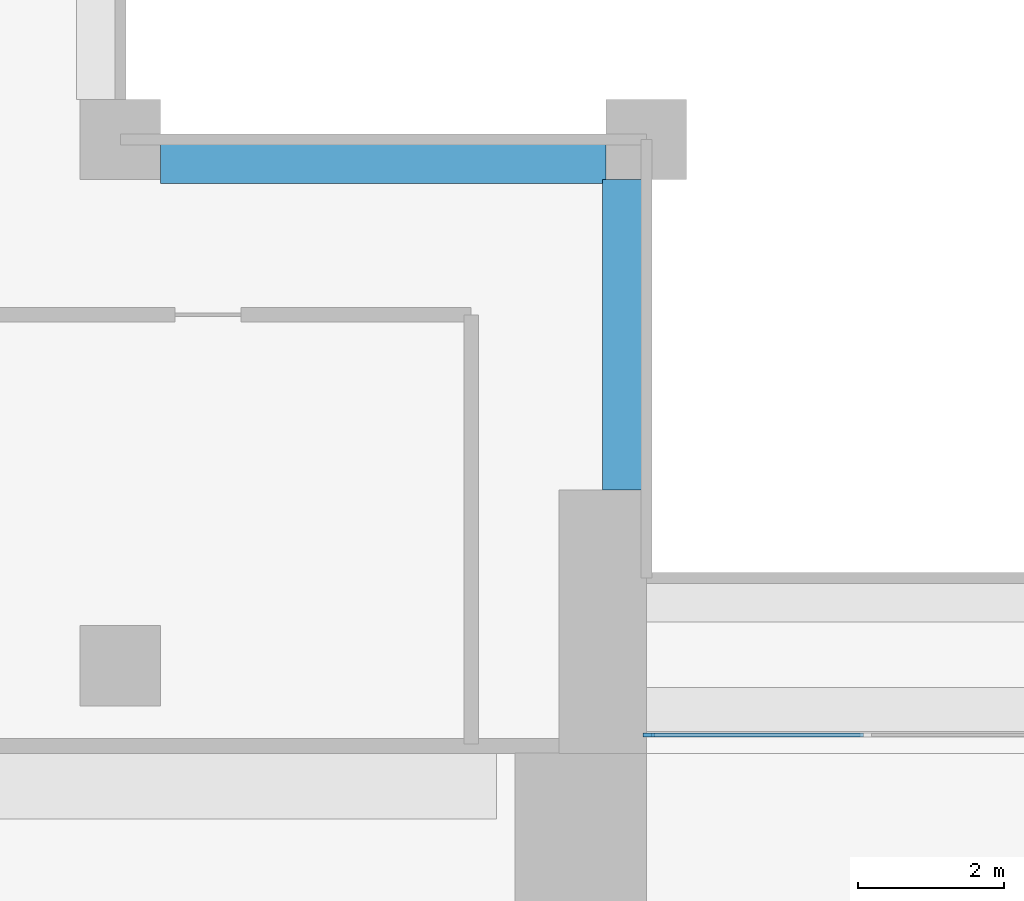
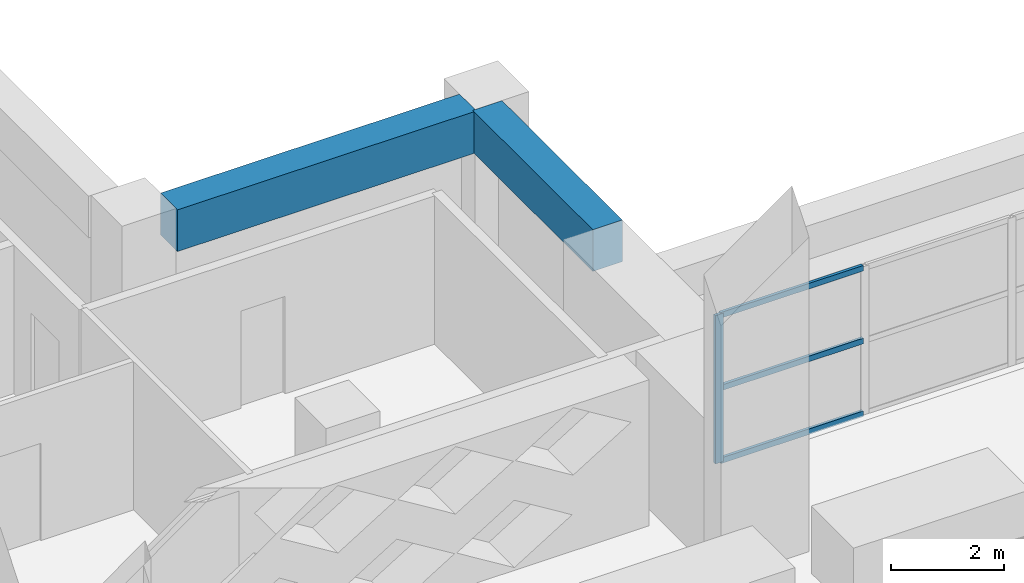
# One storey, part 2 of 17: 4 members, 2 beams, 1 element without a shape of its own.
"""IFC4 building model written with IfcOpenShell, lengths in metres."""

from ifc_helpers import new_model, si_unit, direction, frame, origin, origin_2d, place, context, subcontext, project, spatial, rectangle, extrude, source, transform, mapped, material, layer, layer_set, material_profile, profile_set, type_object, element, aggregate, save


model = new_model("IFC4")

# Units and contexts
model_context = context("Model", 3, precision=1e-05, world=origin(), true_north=direction((0.0, 1.0)))
body_context = subcontext(model_context, "Body", "Model", "MODEL_VIEW")
ifc_project = project(units=[si_unit("LENGTHUNIT", "METRE"), si_unit("AREAUNIT", "SQUARE_METRE"), si_unit("VOLUMEUNIT", "CUBIC_METRE"), si_unit("PLANEANGLEUNIT", "RADIAN"), si_unit("MASSUNIT", "GRAM", prefix="KILO")], contexts=[model_context])

# Site, building, storey
site_placement = place(None, origin())
site = spatial("IfcSite", under=ifc_project, at=site_placement, CompositionType="ELEMENT")
building_placement = place(site_placement, origin())
building = spatial("IfcBuilding", under=site, at=building_placement, Name="Saffron Iwan Residences", CompositionType="ELEMENT")
storey_placement = place(building_placement, frame((0.0, 0.0, 113.0)))
storey = spatial("IfcBuildingStorey", under=building, at=storey_placement, Name="L29", CompositionType="ELEMENT", Elevation=113.0)

# Beams
ifc_material_1 = material(Name="Concrete C50/60", Category="concrete")
ifc_material_profile_1 = material_profile(ifc_material_1, rectangle(XDim=0.60009765625, YDim=0.89990234375, at=origin_2d()), Name="RC 600x900")
ifc_profile_set_1 = profile_set([ifc_material_profile_1], Name="Concrete C50/60")
beam_type = type_object("IfcBeamType", Name="BEAM RC 600x900 C50/60 TOP 3200", PredefinedType="BEAM", material=ifc_profile_set_1)
shared_shape_1 = source(origin(), body_context, "Body", "SweptSolid", [
    extrude(rectangle(XDim=0.60009765625, YDim=0.89990234375, at=origin_2d()), origin(), (0.0, 0.0, 1.0), 4.25),
])
beam_1_placement = place(storey_placement, frame((42.89990234375, 43.199951171875, 2.75), z_axis=(0.0, 1.0, 0.0), x_axis=(-1.0, 0.0, 0.0)))
element("IfcBeam", 1, at=beam_1_placement, inside=storey, type_object=beam_type, Name="Atrium edge beam", PredefinedType="BEAM", context=body_context, shape_type="MappedRepresentation", body=[
    mapped(shared_shape_1, transform((0.0, 0.0, 0.0))),
])
shared_shape_2 = source(origin(), body_context, "Body", "SweptSolid", [
    extrude(rectangle(XDim=0.60009765625, YDim=0.89990234375, at=origin_2d()), origin(), (0.0, 0.0, 1.0), 6.099853515625),
])
beam_2_placement = place(storey_placement, frame((42.64990234375, 47.699951171875, 2.75), z_axis=(-1.0, 0.0, 0.0), x_axis=(0.0, -1.0, 0.0)))
element("IfcBeam", 2, at=beam_2_placement, inside=storey, type_object=beam_type, Name="Atrium edge beam", PredefinedType="BEAM", context=body_context, shape_type="MappedRepresentation", body=[
    mapped(shared_shape_2, transform((0.0, 0.0, 0.0))),
])

# Curtain wall, members
ifc_material_2 = material(Name="Clear glass, laminated double glazed", Category="glass")
ifc_layer = layer(ifc_material_2, 0.199951171875)
ifc_layer_set = layer_set([ifc_layer], Name="Clear glass, laminated double glazed")
curtain_wall_type = type_object("IfcCurtainWallType", Name="CW-B IWAN PORTAL", PredefinedType="NOTDEFINED", material=ifc_layer_set)
curtain_wall_placement = place(storey_placement, origin())
curtain_wall = element("IfcCurtainWall", 3, at=curtain_wall_placement, inside=storey, type_object=curtain_wall_type, Name="Iwan portal glazing L29.1", PredefinedType="NOTDEFINED")
ifc_material_3 = material(Name="Aluminium 6063-T6", Category="aluminium")
ifc_material_profile_2 = material_profile(ifc_material_3, rectangle(XDim=0.06005859375, YDim=0.1201171875, at=origin_2d()), Name="CW-B TRANSOM 60 x 120")
ifc_profile_set_2 = profile_set([ifc_material_profile_2], Name="Aluminium 6063-T6")
member_type_1 = type_object("IfcMemberType", Name="CW-B TRANSOM 60 x 120", PredefinedType="USERDEFINED", material=ifc_profile_set_2)
shared_shape_3 = source(origin(), body_context, "Body", "SweptSolid", [
    extrude(rectangle(XDim=0.06005859375, YDim=0.1201171875, at=origin_2d()), origin(), (0.0, 0.0, 1.0), 2.909912109375),
])
member_1_placement = place(storey_placement, frame((43.260009765625, 39.85009765625, 0.030029296875), z_axis=(1.0, 0.0, 0.0), x_axis=(0.0, 1.0, 0.0)))
member_1 = element("IfcMember", 4, at=member_1_placement, type_object=member_type_1, Name="CW-B transom 1.1", ObjectType="TRANSOM", PredefinedType="USERDEFINED", context=body_context, shape_type="MappedRepresentation", body=[
    mapped(shared_shape_3, transform((0.0, 0.0, 0.0))),
])
member_2_placement = place(storey_placement, frame((43.260009765625, 39.85009765625, 1.60009765625), z_axis=(1.0, 0.0, 0.0), x_axis=(0.0, 1.0, 0.0)))
member_2 = element("IfcMember", 5, at=member_2_placement, type_object=member_type_1, Name="CW-B transom 1.2", ObjectType="TRANSOM", PredefinedType="USERDEFINED", context=body_context, shape_type="MappedRepresentation", body=[
    mapped(shared_shape_3, transform((0.0, 0.0, 0.0))),
])
member_3_placement = place(storey_placement, frame((43.260009765625, 39.85009765625, 3.169921875), z_axis=(1.0, 0.0, 0.0), x_axis=(0.0, 1.0, 0.0)))
member_3 = element("IfcMember", 6, at=member_3_placement, type_object=member_type_1, Name="CW-B transom 1.3", ObjectType="TRANSOM", PredefinedType="USERDEFINED", context=body_context, shape_type="MappedRepresentation", body=[
    mapped(shared_shape_3, transform((0.0, 0.0, 0.0))),
])
ifc_material_profile_3 = material_profile(ifc_material_3, rectangle(XDim=0.06005859375, YDim=0.159912109375, at=origin_2d()), Name="CW-B MULLION 60 x 160")
ifc_profile_set_3 = profile_set([ifc_material_profile_3], Name="Aluminium 6063-T6")
member_type_2 = type_object("IfcMemberType", Name="CW-B MULLION 60 x 160", PredefinedType="MULLION", material=ifc_profile_set_3)
shared_shape_4 = source(origin(), body_context, "Body", "SweptSolid", [
    extrude(rectangle(XDim=0.06005859375, YDim=0.159912109375, at=origin_2d()), origin(), (0.0, 0.0, 1.0), 3.199951171875),
])
member_4_placement = place(storey_placement, frame((43.22998046875, 39.85009765625, 0.0), z_axis=(0.0, 0.0, 1.0), x_axis=(0.0, 1.0, 0.0)))
member_4 = element("IfcMember", 7, at=member_4_placement, type_object=member_type_2, Name="CW-B mullion 1", PredefinedType="MULLION", context=body_context, shape_type="MappedRepresentation", body=[
    mapped(shared_shape_4, transform((0.0, 0.0, 0.0))),
])
aggregate(curtain_wall, [member_4, member_1, member_2, member_3])

save(model, "model.ifc")
